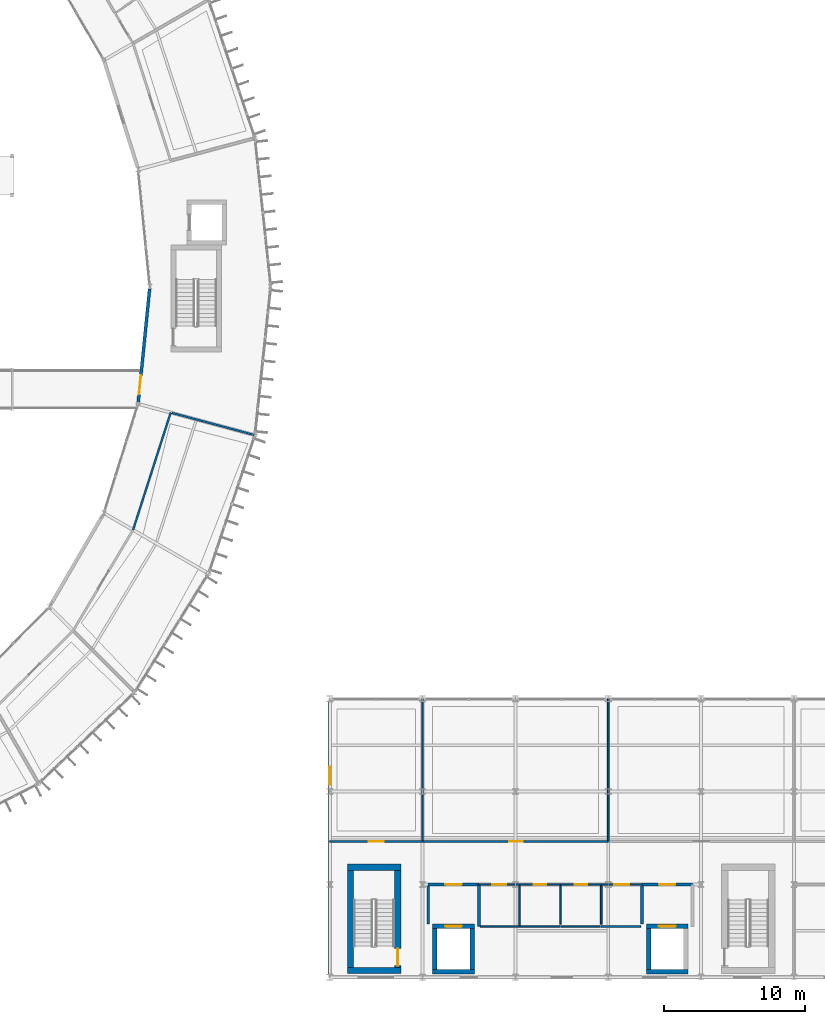
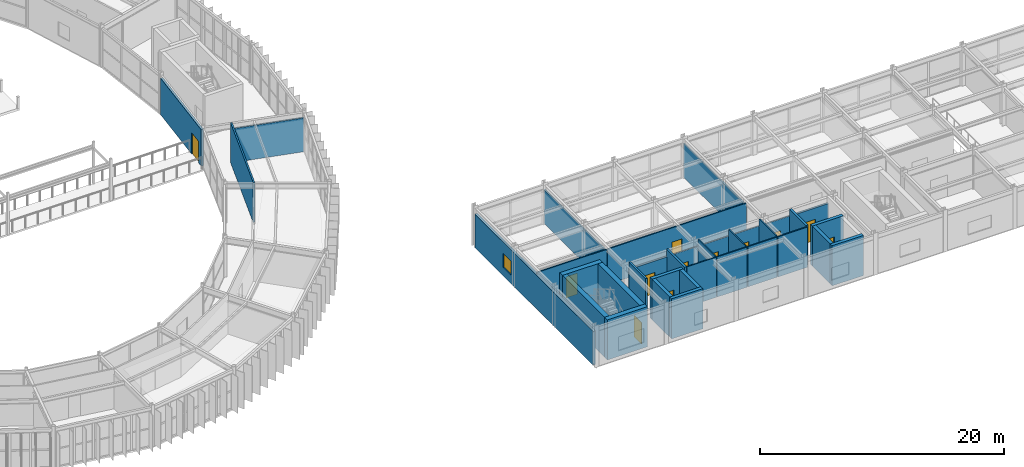
# One storey, part 125 of 147: 35 walls, 12 doors, 1 window, 13 openings.
"""IFC4 building model written with IfcOpenShell, lengths in metres."""

from ifc_helpers import new_model, si_unit, direction, frame, frame_2d, origin, place, context, subcontext, project, spatial, rectangle, extrude, material, layer, layer_set, type_object, element, fill, save


model = new_model("IFC4")

# Units and contexts
model_context = context("Model", 3, precision=1e-05, world=origin(), true_north=direction((0.0, 1.0)))
body_context = subcontext(model_context, "Body", "Model", "MODEL_VIEW")
ifc_project = project(units=[si_unit("LENGTHUNIT", "METRE"), si_unit("AREAUNIT", "SQUARE_METRE"), si_unit("VOLUMEUNIT", "CUBIC_METRE"), si_unit("PLANEANGLEUNIT", "RADIAN"), si_unit("MASSUNIT", "GRAM", prefix="KILO")], contexts=[model_context])

# Site, building, storey
site_placement = place(None, origin())
site = spatial("IfcSite", under=ifc_project, at=site_placement, CompositionType="ELEMENT")
building_placement = place(site_placement, origin())
building = spatial("IfcBuilding", under=site, at=building_placement, Name="Karori Crest Natural Sciences Institute", CompositionType="ELEMENT")
storey_placement = place(building_placement, frame((0.0, 0.0, 9.10009765625)))
storey = spatial("IfcBuildingStorey", under=building, at=storey_placement, Name="L02", CompositionType="ELEMENT", Elevation=9.10009765625)

# Walls
ifc_material_1 = material(Name="Concrete 50 MPa", Category="concrete")
ifc_layer_1 = layer(ifc_material_1, 0.449951171875, Name="Concrete 50 MPa")
ifc_layer_set_1 = layer_set([ifc_layer_1], Name="Concrete 50 MPa")
wall_type_1 = type_object("IfcWallType", Name="IWT-01", PredefinedType="SHEAR", material=ifc_layer_set_1)
for number, where, z_axis, x_axis, name in (
    (1, (104.85009765625, 1.27490234375, 0.0), (0.0, 0.0, 1.0), (1.0, 0.0, 0.0), "Shear wall IW-0081"),
    (2, (104.85009765625, 8.625, 0.0), (0.0, 0.0, 1.0), (1.0, 0.0, 0.0), "Shear wall IW-0082"),
):
    element("IfcWall", number, at=place(storey_placement, frame(where, z_axis=z_axis, x_axis=x_axis)), inside=storey, type_object=wall_type_1, Name=name, PredefinedType="SHEAR", context=body_context, shape_type="SweptSolid", body=[
        extrude(rectangle(XDim=3.7998046875, YDim=0.449951171875, at=frame_2d((1.89990234375, 0.0))), origin(), (0.0, 0.0, 1.0), 4.02001953125),
    ])
wall_1_placement = place(storey_placement, frame((105.074951171875, 1.501953125, 0.0), z_axis=(0.0, 0.0, 1.0), x_axis=(0.0, 1.0, 0.0)))
element("IfcWall", 3, at=wall_1_placement, inside=storey, type_object=wall_type_1, Name="Shear wall IW-0083", PredefinedType="SHEAR", context=body_context, shape_type="SweptSolid", body=[
    extrude(rectangle(XDim=6.89599609375, YDim=0.449951171875, at=frame_2d((3.447998046875, 0.0))), origin(), (0.0, 0.0, 1.0), 4.02001953125),
])

# Wall, opening, door
wall_2_placement = place(storey_placement, frame((108.425048828125, 1.501953125, 0.0), z_axis=(0.0, 0.0, 1.0), x_axis=(0.0, 1.0, 0.0)))
wall_2 = element("IfcWall", 4, at=wall_2_placement, inside=storey, type_object=wall_type_1, Name="Shear wall IW-0084", PredefinedType="SHEAR", context=body_context, shape_type="SweptSolid", body=[
    extrude(rectangle(XDim=6.89599609375, YDim=0.449951171875, at=frame_2d((3.447998046875, 0.0))), origin(), (0.0, 0.0, 1.0), 4.02001953125),
])
opening_1_placement = place(wall_2_placement, frame((0.1201171875, 0.0, 0.0)))
opening_1 = element("IfcOpeningElement", 5, at=opening_1_placement, cuts=wall_2, Name="Opening ID-0021", PredefinedType="OPENING", context=body_context, shape_type="SweptSolid", body=[
    extrude(rectangle(XDim=1.199951171875, YDim=2.14990234375, at=frame_2d((0.60009765625, 1.074951171875))), frame((0.0, 0.23486328125, 0.0), z_axis=(0.0, -1.0, 0.0), x_axis=(1.0, 0.0, 0.0)), (0.0, 0.0, 1.0), 0.469970703125),
])
ifc_material_2 = material(Name="Stainless steel 316 and fire-rated timber", Category="steel")
door_type_1 = type_object("IfcDoorType", Name="IDT-01", OperationType="NOTDEFINED", PredefinedType="DOOR", material=ifc_material_2)
door_1_placement = place(opening_1_placement, origin())
door_1 = element("IfcDoor", 6, at=door_1_placement, inside=storey, type_object=door_type_1, Name="Stair ST-03 fire door ID-0021", OperationType="SINGLE_SWING_LEFT", OverallHeight=2.14990234375, OverallWidth=1.199951171875, PredefinedType="DOOR", context=body_context, shape_type="SweptSolid", body=[
    extrude(rectangle(XDim=1.199951171875, YDim=2.14990234375, at=frame_2d((0.60009765625, 1.074951171875))), frame((0.0, 0.02490234375, 0.0), z_axis=(0.0, -1.0, 0.0), x_axis=(1.0, 0.0, 0.0)), (0.0, 0.0, 1.0), 0.050048828125),
])
fill(opening_1, door_1)

# Wall
ifc_layer_2 = layer(ifc_material_1, 0.320068359375, Name="Concrete 50 MPa")
ifc_layer_set_2 = layer_set([ifc_layer_2], Name="Concrete 50 MPa")
wall_type_2 = type_object("IfcWallType", Name="IWT-03", PredefinedType="SHEAR", material=ifc_layer_set_2)
wall_3_placement = place(storey_placement, frame((110.919921875, 1.179931640625, 0.0), z_axis=(0.0, 0.0, 1.0), x_axis=(1.0, 0.0, 0.0)))
element("IfcWall", 7, at=wall_3_placement, inside=storey, type_object=wall_type_2, Name="Shear wall IW-0317", PredefinedType="SHEAR", context=body_context, shape_type="SweptSolid", body=[
    extrude(rectangle(XDim=2.9599609375, YDim=0.320068359375, at=frame_2d((1.47998046875, 0.0))), origin(), (0.0, 0.0, 1.0), 4.02001953125),
])

# Wall, opening, door
wall_4_placement = place(storey_placement, frame((110.919921875, 4.419921875, 0.0), z_axis=(0.0, 0.0, 1.0), x_axis=(1.0, 0.0, 0.0)))
wall_4 = element("IfcWall", 8, at=wall_4_placement, inside=storey, type_object=wall_type_2, Name="Shear wall IW-0318", PredefinedType="SHEAR", context=body_context, shape_type="SweptSolid", body=[
    extrude(rectangle(XDim=2.9599609375, YDim=0.320068359375, at=frame_2d((1.47998046875, 0.0))), origin(), (0.0, 0.0, 1.0), 4.02001953125),
])
opening_2_placement = place(wall_4_placement, frame((0.8798828125, 0.0, 0.0)))
opening_2 = element("IfcOpeningElement", 9, at=opening_2_placement, cuts=wall_4, Name="Opening LD-0004", PredefinedType="OPENING", context=body_context, shape_type="SweptSolid", body=[
    extrude(rectangle(XDim=1.199951171875, YDim=2.199951171875, at=frame_2d((0.60009765625, 1.10009765625))), frame((0.0, 0.169921875, 0.0), z_axis=(0.0, -1.0, 0.0), x_axis=(1.0, 0.0, 0.0)), (0.0, 0.0, 1.0), 0.340087890625),
])
door_type_2 = type_object("IfcDoorType", Name="LDT-02", OperationType="SLIDING_TO_LEFT", PredefinedType="DOOR", material=ifc_material_2)
door_2_placement = place(opening_2_placement, origin())
door_2 = element("IfcDoor", 10, at=door_2_placement, inside=storey, type_object=door_type_2, Name="Lift LF-01 landing door LD-0004", OperationType="SLIDING_TO_LEFT", OverallHeight=2.199951171875, OverallWidth=1.199951171875, PredefinedType="DOOR", context=body_context, shape_type="SweptSolid", body=[
    extrude(rectangle(XDim=1.199951171875, YDim=2.199951171875, at=frame_2d((0.60009765625, 1.10009765625))), frame((0.0, 0.02490234375, 0.0), z_axis=(0.0, -1.0, 0.0), x_axis=(1.0, 0.0, 0.0)), (0.0, 0.0, 1.0), 0.050048828125),
])
fill(opening_2, door_2)

# Walls
for number, where, z_axis, x_axis, name in (
    (11, (111.080078125, 1.342041015625, 0.0), (0.0, 0.0, 1.0), (0.0, 1.0, 0.0), "Shear wall IW-0319"),
    (12, (113.719970703125, 1.342041015625, 0.0), (0.0, 0.0, 1.0), (0.0, 1.0, 0.0), "Shear wall IW-0320"),
):
    element("IfcWall", number, at=place(storey_placement, frame(where, z_axis=z_axis, x_axis=x_axis)), inside=storey, type_object=wall_type_2, Name=name, PredefinedType="SHEAR", context=body_context, shape_type="SweptSolid", body=[
        extrude(rectangle(XDim=2.916015625, YDim=0.320068359375, at=frame_2d((1.4580078125, 0.0))), origin(), (0.0, 0.0, 1.0), 4.02001953125),
    ])
wall_5_placement = place(storey_placement, frame((126.1201171875, 1.179931640625, 0.0), z_axis=(0.0, 0.0, 1.0), x_axis=(1.0, 0.0, 0.0)))
element("IfcWall", 13, at=wall_5_placement, inside=storey, type_object=wall_type_2, Name="Shear wall IW-0365", PredefinedType="SHEAR", context=body_context, shape_type="SweptSolid", body=[
    extrude(rectangle(XDim=2.9599609375, YDim=0.320068359375, at=frame_2d((1.47998046875, 0.0))), origin(), (0.0, 0.0, 1.0), 4.02001953125),
])

# Wall, opening, door
wall_6_placement = place(storey_placement, frame((126.1201171875, 4.419921875, 0.0), z_axis=(0.0, 0.0, 1.0), x_axis=(1.0, 0.0, 0.0)))
wall_6 = element("IfcWall", 14, at=wall_6_placement, inside=storey, type_object=wall_type_2, Name="Shear wall IW-0366", PredefinedType="SHEAR", context=body_context, shape_type="SweptSolid", body=[
    extrude(rectangle(XDim=2.9599609375, YDim=0.320068359375, at=frame_2d((1.47998046875, 0.0))), origin(), (0.0, 0.0, 1.0), 4.02001953125),
])
opening_3_placement = place(wall_6_placement, frame((0.8798828125, 0.0, 0.0)))
opening_3 = element("IfcOpeningElement", 15, at=opening_3_placement, cuts=wall_6, Name="Opening LD-0016", PredefinedType="OPENING", context=body_context, shape_type="SweptSolid", body=[
    extrude(rectangle(XDim=1.199951171875, YDim=2.199951171875, at=frame_2d((0.60009765625, 1.10009765625))), frame((0.0, 0.169921875, 0.0), z_axis=(0.0, -1.0, 0.0), x_axis=(1.0, 0.0, 0.0)), (0.0, 0.0, 1.0), 0.340087890625),
])
door_3_placement = place(opening_3_placement, origin())
door_3 = element("IfcDoor", 16, at=door_3_placement, inside=storey, type_object=door_type_2, Name="Lift LF-02 landing door LD-0016", OperationType="SLIDING_TO_LEFT", OverallHeight=2.199951171875, OverallWidth=1.199951171875, PredefinedType="DOOR", context=body_context, shape_type="SweptSolid", body=[
    extrude(rectangle(XDim=1.199951171875, YDim=2.199951171875, at=frame_2d((0.60009765625, 1.10009765625))), frame((0.0, 0.02490234375, 0.0), z_axis=(0.0, -1.0, 0.0), x_axis=(1.0, 0.0, 0.0)), (0.0, 0.0, 1.0), 0.050048828125),
])
fill(opening_3, door_3)

# Wall
wall_7_placement = place(storey_placement, frame((126.280029296875, 1.342041015625, 0.0), z_axis=(0.0, 0.0, 1.0), x_axis=(0.0, 1.0, 0.0)))
element("IfcWall", 17, at=wall_7_placement, inside=storey, type_object=wall_type_2, Name="Shear wall IW-0367", PredefinedType="SHEAR", context=body_context, shape_type="SweptSolid", body=[
    extrude(rectangle(XDim=2.916015625, YDim=0.320068359375, at=frame_2d((1.4580078125, 0.0))), origin(), (0.0, 0.0, 1.0), 4.02001953125),
])

# Wall, opening, door
ifc_material_3 = material(Name="Concrete 40 MPa", Category="concrete")
ifc_layer_3 = layer(ifc_material_3, 0.199951171875, Name="Concrete 40 MPa")
ifc_layer_set_3 = layer_set([ifc_layer_3], Name="Concrete 40 MPa")
wall_type_3 = type_object("IfcWallType", Name="IWT-04", PredefinedType="SOLIDWALL", material=ifc_layer_set_3)
wall_8_placement = place(storey_placement, frame((110.60009765625, 7.39990234375, 0.0), z_axis=(0.0, 0.0, 1.0), x_axis=(1.0, 0.0, 0.0)))
wall_8 = element("IfcWall", 18, at=wall_8_placement, inside=storey, type_object=wall_type_3, Name="Partition wall IW-0631", PredefinedType="SOLIDWALL", context=body_context, shape_type="SweptSolid", body=[
    extrude(rectangle(XDim=3.599853515625, YDim=0.199951171875, at=frame_2d((1.7998046875, 0.0))), origin(), (0.0, 0.0, 1.0), 3.29296875),
])
opening_4_placement = place(wall_8_placement, frame((1.22509765625, 0.0, 0.0)))
opening_4 = element("IfcOpeningElement", 19, at=opening_4_placement, cuts=wall_8, Name="Opening ID-0111", PredefinedType="OPENING", context=body_context, shape_type="SweptSolid", body=[
    extrude(rectangle(XDim=1.14990234375, YDim=2.14990234375, at=frame_2d((0.574951171875, 1.074951171875))), frame((0.0, 0.10986328125, 0.0), z_axis=(0.0, -1.0, 0.0), x_axis=(1.0, 0.0, 0.0)), (0.0, 0.0, 1.0), 0.219970703125),
])
door_type_3 = type_object("IfcDoorType", Name="IDT-02", OperationType="NOTDEFINED", PredefinedType="DOOR", material=ifc_material_2)
door_4_placement = place(opening_4_placement, origin())
door_4 = element("IfcDoor", 20, at=door_4_placement, inside=storey, type_object=door_type_3, Name="Firefighting Lift Lobby West door ID-0111", OperationType="SINGLE_SWING_RIGHT", OverallHeight=2.14990234375, OverallWidth=1.14990234375, PredefinedType="DOOR", context=body_context, shape_type="SweptSolid", body=[
    extrude(rectangle(XDim=1.14990234375, YDim=2.14990234375, at=frame_2d((0.574951171875, 1.074951171875))), frame((0.0, 0.02490234375, 0.0), z_axis=(0.0, -1.0, 0.0), x_axis=(1.0, 0.0, 0.0)), (0.0, 0.0, 1.0), 0.050048828125),
])
fill(opening_4, door_4)

# Walls
wall_9_placement = place(storey_placement, frame((110.60009765625, 4.58203125, 0.0), z_axis=(0.0, 0.0, 1.0), x_axis=(0.0, 1.0, 0.0)))
element("IfcWall", 21, at=wall_9_placement, inside=storey, type_object=wall_type_3, Name="Partition wall IW-0632", PredefinedType="SOLIDWALL", context=body_context, shape_type="SweptSolid", body=[
    extrude(rectangle(XDim=2.716064453125, YDim=0.199951171875, at=frame_2d((1.35791015625, 0.0))), origin(), (0.0, 0.0, 1.0), 4.02001953125),
])
wall_10_placement = place(storey_placement, frame((114.199951171875, 4.39990234375, 0.0), z_axis=(0.0, 0.0, 1.0), x_axis=(0.0, 1.0, 0.0)))
element("IfcWall", 22, at=wall_10_placement, inside=storey, type_object=wall_type_3, Name="Partition wall IW-0633", PredefinedType="SOLIDWALL", context=body_context, shape_type="SweptSolid", body=[
    extrude(rectangle(XDim=3.0, YDim=0.199951171875, at=frame_2d((1.5, 0.0))), origin(), (0.0, 0.0, 1.0), 4.02001953125),
])

# Wall, opening, door
wall_11_placement = place(storey_placement, frame((125.800048828125, 7.39990234375, 0.0), z_axis=(0.0, 0.0, 1.0), x_axis=(1.0, 0.0, 0.0)))
wall_11 = element("IfcWall", 23, at=wall_11_placement, inside=storey, type_object=wall_type_3, Name="Partition wall IW-0634", PredefinedType="SOLIDWALL", context=body_context, shape_type="SweptSolid", body=[
    extrude(rectangle(XDim=3.599853515625, YDim=0.199951171875, at=frame_2d((1.7998046875, 0.0))), origin(), (0.0, 0.0, 1.0), 3.29296875),
])
opening_5_placement = place(wall_11_placement, frame((1.22509765625, 0.0, 0.0)))
opening_5 = element("IfcOpeningElement", 24, at=opening_5_placement, cuts=wall_11, Name="Opening ID-0112", PredefinedType="OPENING", context=body_context, shape_type="SweptSolid", body=[
    extrude(rectangle(XDim=1.14990234375, YDim=2.14990234375, at=frame_2d((0.574951171875, 1.074951171875))), frame((0.0, 0.10986328125, 0.0), z_axis=(0.0, -1.0, 0.0), x_axis=(1.0, 0.0, 0.0)), (0.0, 0.0, 1.0), 0.219970703125),
])
door_5_placement = place(opening_5_placement, origin())
door_5 = element("IfcDoor", 25, at=door_5_placement, inside=storey, type_object=door_type_3, Name="Firefighting Lift Lobby East door ID-0112", OperationType="SINGLE_SWING_LEFT", OverallHeight=2.14990234375, OverallWidth=1.14990234375, PredefinedType="DOOR", context=body_context, shape_type="SweptSolid", body=[
    extrude(rectangle(XDim=1.14990234375, YDim=2.14990234375, at=frame_2d((0.574951171875, 1.074951171875))), frame((0.0, 0.02490234375, 0.0), z_axis=(0.0, -1.0, 0.0), x_axis=(1.0, 0.0, 0.0)), (0.0, 0.0, 1.0), 0.050048828125),
])
fill(opening_5, door_5)

# Walls
wall_12_placement = place(storey_placement, frame((125.800048828125, 4.58203125, 0.0), z_axis=(0.0, 0.0, 1.0), x_axis=(0.0, 1.0, 0.0)))
element("IfcWall", 26, at=wall_12_placement, inside=storey, type_object=wall_type_3, Name="Partition wall IW-0635", PredefinedType="SOLIDWALL", context=body_context, shape_type="SweptSolid", body=[
    extrude(rectangle(XDim=2.716064453125, YDim=0.199951171875, at=frame_2d((1.35791015625, 0.0))), origin(), (0.0, 0.0, 1.0), 4.02001953125),
])
ifc_material_4 = material(Name="Laboratory acoustic drywall partition")
ifc_layer_4 = layer(ifc_material_4, 0.139892578125, Name="Laboratory acoustic drywall partition")
ifc_layer_set_4 = layer_set([ifc_layer_4], Name="Laboratory acoustic drywall partition")
wall_type_4 = type_object("IfcWallType", Name="IWT-07", PredefinedType="PARTITIONING", material=ifc_layer_set_4)
wall_13_placement = place(storey_placement, frame((89.610107421875, 32.601806640625, 0.0), z_axis=(0.0, 0.0, 1.0), x_axis=(0.305499533667, 0.952192225829, 0.0)))
element("IfcWall", 27, at=wall_13_placement, inside=storey, type_object=wall_type_4, Name="Partition wall IW-1286", PredefinedType="PARTITIONING", context=body_context, shape_type="SweptSolid", body=[
    extrude(rectangle(XDim=8.761962890625, YDim=0.139892578125, at=frame_2d((4.380859375, 0.0))), origin(), (0.0, 0.0, 1.0), 4.0),
])
wall_14_placement = place(storey_placement, frame((92.364013671875, 40.92431640625, 0.0), z_axis=(0.0, 0.0, 1.0), x_axis=(0.96591927772, -0.258843483457, 0.0)))
element("IfcWall", 28, at=wall_14_placement, inside=storey, type_object=wall_type_4, Name="Partition wall IW-1287", PredefinedType="PARTITIONING", context=body_context, shape_type="SweptSolid", body=[
    extrude(rectangle(XDim=6.06005859375, YDim=0.139892578125, at=frame_2d((3.030029296875, 0.0))), origin(), (0.0, 0.0, 1.0), 3.391845703125),
])
ifc_material_5 = material(Name="Write-up office acoustic partition")
ifc_layer_5 = layer(ifc_material_5, 0.1201171875, Name="Write-up office acoustic partition")
ifc_layer_set_5 = layer_set([ifc_layer_5], Name="Write-up office acoustic partition")
wall_type_5 = type_object("IfcWallType", Name="IWT-08", PredefinedType="PARTITIONING", material=ifc_layer_set_5)
wall_15_placement = place(storey_placement, frame((122.89990234375, 4.39990234375, 0.0), z_axis=(0.0, 0.0, 1.0), x_axis=(1.0, 0.0, 0.0)))
element("IfcWall", 29, at=wall_15_placement, inside=storey, type_object=wall_type_5, Name="Partition wall IW-0637", PredefinedType="PARTITIONING", context=body_context, shape_type="SweptSolid", body=[
    extrude(rectangle(XDim=2.798095703125, YDim=0.1201171875, at=frame_2d((1.39892578125, 0.0))), origin(), (0.0, 0.0, 1.0), 4.02001953125),
])

# Wall, opening, door
wall_16_placement = place(storey_placement, frame((122.89990234375, 7.39990234375, 0.0), z_axis=(0.0, 0.0, 1.0), x_axis=(1.0, 0.0, 0.0)))
wall_16 = element("IfcWall", 30, at=wall_16_placement, inside=storey, type_object=wall_type_5, Name="Partition wall IW-0638", PredefinedType="PARTITIONING", context=body_context, shape_type="SweptSolid", body=[
    extrude(rectangle(XDim=2.898193359375, YDim=0.1201171875, at=frame_2d((1.44921875, 0.0))), origin(), (0.0, 0.0, 1.0), 3.29296875),
])
opening_6_placement = place(wall_16_placement, frame((0.908935546875, 0.0, 0.0)))
opening_6 = element("IfcOpeningElement", 31, at=opening_6_placement, cuts=wall_16, Name="Opening ID-0113", PredefinedType="OPENING", context=body_context, shape_type="SweptSolid", body=[
    extrude(rectangle(XDim=1.080078125, YDim=2.1201171875, at=frame_2d((0.5400390625, 1.06005859375))), frame((0.0, 0.070068359375, 0.0), z_axis=(0.0, -1.0, 0.0), x_axis=(1.0, 0.0, 0.0)), (0.0, 0.0, 1.0), 0.14013671875),
])
ifc_material_6 = material(Name="Anodised aluminium and acoustic timber", Category="wood")
door_type_4 = type_object("IfcDoorType", Name="IDT-12", OperationType="NOTDEFINED", PredefinedType="DOOR", material=ifc_material_6)
door_6_placement = place(opening_6_placement, origin())
door_6 = element("IfcDoor", 32, at=door_6_placement, inside=storey, type_object=door_type_4, Name="Communications Server Room door ID-0113", OperationType="SINGLE_SWING_RIGHT", OverallHeight=2.1201171875, OverallWidth=1.080078125, PredefinedType="DOOR", context=body_context, shape_type="SweptSolid", body=[
    extrude(rectangle(XDim=1.080078125, YDim=2.1201171875, at=frame_2d((0.5400390625, 1.06005859375))), frame((0.0, 0.02490234375, 0.0), z_axis=(0.0, -1.0, 0.0), x_axis=(1.0, 0.0, 0.0)), (0.0, 0.0, 1.0), 0.050048828125),
])
fill(opening_6, door_6)

# Wall
wall_17_placement = place(storey_placement, frame((122.89990234375, 4.58203125, 0.0), z_axis=(0.0, 0.0, 1.0), x_axis=(0.0, 1.0, 0.0)))
element("IfcWall", 33, at=wall_17_placement, inside=storey, type_object=wall_type_5, Name="Partition wall IW-0639", PredefinedType="PARTITIONING", context=body_context, shape_type="SweptSolid", body=[
    extrude(rectangle(XDim=2.716064453125, YDim=0.1201171875, at=frame_2d((1.35791015625, 0.0))), origin(), (0.0, 0.0, 1.0), 4.02001953125),
])

# Wall, opening, door
wall_18_placement = place(storey_placement, frame((103.60009765625, 10.449951171875, 0.0), z_axis=(0.0, 0.0, 1.0), x_axis=(1.0, 0.0, 0.0)))
wall_18 = element("IfcWall", 34, at=wall_18_placement, inside=storey, type_object=wall_type_5, Name="Partition wall IW-0652", PredefinedType="PARTITIONING", context=body_context, shape_type="SweptSolid", body=[
    extrude(rectangle(XDim=6.599853515625, YDim=0.1201171875, at=frame_2d((3.2998046875, 0.0))), origin(), (0.0, 0.0, 1.0), 3.5458984375),
])
opening_7_placement = place(wall_18_placement, frame((2.760009765625, 0.0, 0.0)))
opening_7 = element("IfcOpeningElement", 35, at=opening_7_placement, cuts=wall_18, Name="Opening ID-0119", PredefinedType="OPENING", context=body_context, shape_type="SweptSolid", body=[
    extrude(rectangle(XDim=1.080078125, YDim=2.1201171875, at=frame_2d((0.5400390625, 1.06005859375))), frame((0.0, 0.070068359375, 0.0), z_axis=(0.0, -1.0, 0.0), x_axis=(1.0, 0.0, 0.0)), (0.0, 0.0, 1.0), 0.14013671875),
])
door_7_placement = place(opening_7_placement, origin())
door_7 = element("IfcDoor", 36, at=door_7_placement, inside=storey, type_object=door_type_4, Name="Collaborative Write-Up Suite door ID-0119", OperationType="SINGLE_SWING_RIGHT", OverallHeight=2.1201171875, OverallWidth=1.080078125, PredefinedType="DOOR", context=body_context, shape_type="SweptSolid", body=[
    extrude(rectangle(XDim=1.080078125, YDim=2.1201171875, at=frame_2d((0.5400390625, 1.06005859375))), frame((0.0, 0.02490234375, 0.0), z_axis=(0.0, -1.0, 0.0), x_axis=(1.0, 0.0, 0.0)), (0.0, 0.0, 1.0), 0.050048828125),
])
fill(opening_7, door_7)

# Wall
wall_19_placement = place(storey_placement, frame((110.199951171875, 10.449951171875, 0.0), z_axis=(0.0, 0.0, 1.0), x_axis=(0.0, 1.0, 0.0)))
element("IfcWall", 37, at=wall_19_placement, inside=storey, type_object=wall_type_5, Name="Partition wall IW-0653", PredefinedType="PARTITIONING", context=body_context, shape_type="SweptSolid", body=[
    extrude(rectangle(XDim=10.150146484375, YDim=0.1201171875, at=frame_2d((5.0751953125, 0.0))), origin(), (0.0, 0.0, 1.0), 3.371826171875),
])

# Wall, opening, door
wall_20_placement = place(storey_placement, frame((110.261962890625, 10.449951171875, 0.0), z_axis=(0.0, 0.0, 1.0), x_axis=(1.0, 0.0, 0.0)))
wall_20 = element("IfcWall", 38, at=wall_20_placement, inside=storey, type_object=wall_type_5, Name="Partition wall IW-0654", PredefinedType="PARTITIONING", context=body_context, shape_type="SweptSolid", body=[
    extrude(rectangle(XDim=13.137939453125, YDim=0.1201171875, at=frame_2d((6.56884765625, 0.0))), origin(), (0.0, 0.0, 1.0), 3.5458984375),
])
opening_8_placement = place(wall_20_placement, frame((6.093994140625, 0.0, 0.0)))
opening_8 = element("IfcOpeningElement", 39, at=opening_8_placement, cuts=wall_20, Name="Opening ID-0120", PredefinedType="OPENING", context=body_context, shape_type="SweptSolid", body=[
    extrude(rectangle(XDim=0.949951171875, YDim=2.10009765625, at=frame_2d((0.47509765625, 1.050048828125))), frame((0.0, 0.070068359375, 0.0), z_axis=(0.0, -1.0, 0.0), x_axis=(1.0, 0.0, 0.0)), (0.0, 0.0, 1.0), 0.14013671875),
])
door_type_5 = type_object("IfcDoorType", Name="IDT-08", OperationType="NOTDEFINED", PredefinedType="DOOR", material=ifc_material_6)
door_8_placement = place(opening_8_placement, origin())
door_8 = element("IfcDoor", 40, at=door_8_placement, inside=storey, type_object=door_type_5, Name="Climate Data Studio door ID-0120", OperationType="SINGLE_SWING_LEFT", OverallHeight=2.10009765625, OverallWidth=0.949951171875, PredefinedType="DOOR", context=body_context, shape_type="SweptSolid", body=[
    extrude(rectangle(XDim=0.949951171875, YDim=2.10009765625, at=frame_2d((0.47509765625, 1.050048828125))), frame((0.0, 0.02490234375, 0.0), z_axis=(0.0, -1.0, 0.0), x_axis=(1.0, 0.0, 0.0)), (0.0, 0.0, 1.0), 0.050048828125),
])
fill(opening_8, door_8)

# Walls
wall_21_placement = place(storey_placement, frame((123.39990234375, 10.449951171875, 0.0), z_axis=(0.0, 0.0, 1.0), x_axis=(0.0, 1.0, 0.0)))
element("IfcWall", 41, at=wall_21_placement, inside=storey, type_object=wall_type_5, Name="Partition wall IW-0655", PredefinedType="PARTITIONING", context=body_context, shape_type="SweptSolid", body=[
    extrude(rectangle(XDim=10.150146484375, YDim=0.1201171875, at=frame_2d((5.0751953125, 0.0))), origin(), (0.0, 0.0, 1.0), 3.371826171875),
])
ifc_material_7 = material(Name="Washroom moisture-resistant partition")
ifc_layer_6 = layer(ifc_material_7, 0.10009765625, Name="Washroom moisture-resistant partition")
ifc_layer_set_6 = layer_set([ifc_layer_6], Name="Washroom moisture-resistant partition")
wall_type_6 = type_object("IfcWallType", Name="IWT-09", PredefinedType="PARTITIONING", material=ifc_layer_set_6)
wall_22_placement = place(storey_placement, frame((114.302001953125, 4.39990234375, 0.0), z_axis=(0.0, 0.0, 1.0), x_axis=(1.0, 0.0, 0.0)))
element("IfcWall", 42, at=wall_22_placement, inside=storey, type_object=wall_type_6, Name="Partition wall IW-0640", PredefinedType="PARTITIONING", context=body_context, shape_type="SweptSolid", body=[
    extrude(rectangle(XDim=2.798095703125, YDim=0.10009765625, at=frame_2d((1.39892578125, 0.0))), origin(), (0.0, 0.0, 1.0), 4.02001953125),
])

# Wall, opening, door
wall_23_placement = place(storey_placement, frame((114.201904296875, 7.39990234375, 0.0), z_axis=(0.0, 0.0, 1.0), x_axis=(1.0, 0.0, 0.0)))
wall_23 = element("IfcWall", 43, at=wall_23_placement, inside=storey, type_object=wall_type_6, Name="Partition wall IW-0641", PredefinedType="PARTITIONING", context=body_context, shape_type="SweptSolid", body=[
    extrude(rectangle(XDim=2.898193359375, YDim=0.10009765625, at=frame_2d((1.44921875, 0.0))), origin(), (0.0, 0.0, 1.0), 3.29296875),
])
opening_9_placement = place(wall_23_placement, frame((0.948974609375, 0.0, 0.0)))
opening_9 = element("IfcOpeningElement", 44, at=opening_9_placement, cuts=wall_23, Name="Opening ID-0114", PredefinedType="OPENING", context=body_context, shape_type="SweptSolid", body=[
    extrude(rectangle(XDim=1.0, YDim=2.10009765625, at=frame_2d((0.5, 1.050048828125))), frame((0.0, 0.06005859375, 0.0), z_axis=(0.0, -1.0, 0.0), x_axis=(1.0, 0.0, 0.0)), (0.0, 0.0, 1.0), 0.1201171875),
])
door_type_6 = type_object("IfcDoorType", Name="IDT-09", OperationType="NOTDEFINED", PredefinedType="DOOR", material=ifc_material_6)
door_9_placement = place(opening_9_placement, origin())
door_9 = element("IfcDoor", 45, at=door_9_placement, inside=storey, type_object=door_type_6, Name="Accessible WC door ID-0114", OperationType="SINGLE_SWING_LEFT", OverallHeight=2.10009765625, OverallWidth=1.0, PredefinedType="DOOR", context=body_context, shape_type="SweptSolid", body=[
    extrude(rectangle(XDim=1.0, YDim=2.10009765625, at=frame_2d((0.5, 1.050048828125))), frame((0.0, 0.02490234375, 0.0), z_axis=(0.0, -1.0, 0.0), x_axis=(1.0, 0.0, 0.0)), (0.0, 0.0, 1.0), 0.050048828125),
])
fill(opening_9, door_9)

# Walls
wall_24_placement = place(storey_placement, frame((117.10009765625, 4.4619140625, 0.0), z_axis=(0.0, 0.0, 1.0), x_axis=(0.0, 1.0, 0.0)))
element("IfcWall", 46, at=wall_24_placement, inside=storey, type_object=wall_type_6, Name="Partition wall IW-0642", PredefinedType="PARTITIONING", context=body_context, shape_type="SweptSolid", body=[
    extrude(rectangle(XDim=2.836181640625, YDim=0.10009765625, at=frame_2d((1.41796875, 0.0))), origin(), (0.0, 0.0, 1.0), 4.02001953125),
])
wall_25_placement = place(storey_placement, frame((117.152099609375, 4.39990234375, 0.0), z_axis=(0.0, 0.0, 1.0), x_axis=(1.0, 0.0, 0.0)))
element("IfcWall", 47, at=wall_25_placement, inside=storey, type_object=wall_type_6, Name="Partition wall IW-0643", PredefinedType="PARTITIONING", context=body_context, shape_type="SweptSolid", body=[
    extrude(rectangle(XDim=2.847900390625, YDim=0.10009765625, at=frame_2d((1.423828125, 0.0))), origin(), (0.0, 0.0, 1.0), 4.02001953125),
])

# Wall, opening, door
wall_26_placement = place(storey_placement, frame((117.10205078125, 7.39990234375, 0.0), z_axis=(0.0, 0.0, 1.0), x_axis=(1.0, 0.0, 0.0)))
wall_26 = element("IfcWall", 48, at=wall_26_placement, inside=storey, type_object=wall_type_6, Name="Partition wall IW-0644", PredefinedType="PARTITIONING", context=body_context, shape_type="SweptSolid", body=[
    extrude(rectangle(XDim=2.89794921875, YDim=0.10009765625, at=frame_2d((1.448974609375, 0.0))), origin(), (0.0, 0.0, 1.0), 3.29296875),
])
opening_10_placement = place(wall_26_placement, frame((1.009033203125, 0.0, 0.0)))
opening_10 = element("IfcOpeningElement", 49, at=opening_10_placement, cuts=wall_26, Name="Opening ID-0115", PredefinedType="OPENING", context=body_context, shape_type="SweptSolid", body=[
    extrude(rectangle(XDim=0.8798828125, YDim=2.080078125, at=frame_2d((0.43994140625, 1.0400390625))), frame((0.0, 0.06005859375, 0.0), z_axis=(0.0, -1.0, 0.0), x_axis=(1.0, 0.0, 0.0)), (0.0, 0.0, 1.0), 0.1201171875),
])
door_type_7 = type_object("IfcDoorType", Name="IDT-10", OperationType="NOTDEFINED", PredefinedType="DOOR", material=ifc_material_6)
door_10_placement = place(opening_10_placement, origin())
door_10 = element("IfcDoor", 50, at=door_10_placement, inside=storey, type_object=door_type_7, Name="Female Washroom WC door ID-0115", OperationType="SINGLE_SWING_RIGHT", OverallHeight=2.080078125, OverallWidth=0.8798828125, PredefinedType="DOOR", context=body_context, shape_type="SweptSolid", body=[
    extrude(rectangle(XDim=0.8798828125, YDim=2.080078125, at=frame_2d((0.43994140625, 1.0400390625))), frame((0.0, 0.02490234375, 0.0), z_axis=(0.0, -1.0, 0.0), x_axis=(1.0, 0.0, 0.0)), (0.0, 0.0, 1.0), 0.050048828125),
])
fill(opening_10, door_10)

# Walls
wall_27_placement = place(storey_placement, frame((120.0, 4.58203125, 0.0), z_axis=(0.0, 0.0, 1.0), x_axis=(0.0, 1.0, 0.0)))
element("IfcWall", 51, at=wall_27_placement, inside=storey, type_object=wall_type_6, Name="Partition wall IW-0645", PredefinedType="PARTITIONING", context=body_context, shape_type="SweptSolid", body=[
    extrude(rectangle(XDim=2.716064453125, YDim=0.10009765625, at=frame_2d((1.35791015625, 0.0))), origin(), (0.0, 0.0, 1.0), 4.02001953125),
])
wall_28_placement = place(storey_placement, frame((120.052001953125, 4.39990234375, 0.0), z_axis=(0.0, 0.0, 1.0), x_axis=(1.0, 0.0, 0.0)))
element("IfcWall", 52, at=wall_28_placement, inside=storey, type_object=wall_type_6, Name="Partition wall IW-0646", PredefinedType="PARTITIONING", context=body_context, shape_type="SweptSolid", body=[
    extrude(rectangle(XDim=2.785888671875, YDim=0.10009765625, at=frame_2d((1.39306640625, 0.0))), origin(), (0.0, 0.0, 1.0), 4.02001953125),
])

# Wall, opening, door
wall_29_placement = place(storey_placement, frame((120.001953125, 7.39990234375, 0.0), z_axis=(0.0, 0.0, 1.0), x_axis=(1.0, 0.0, 0.0)))
wall_29 = element("IfcWall", 53, at=wall_29_placement, inside=storey, type_object=wall_type_6, Name="Partition wall IW-0647", PredefinedType="PARTITIONING", context=body_context, shape_type="SweptSolid", body=[
    extrude(rectangle(XDim=2.89599609375, YDim=0.10009765625, at=frame_2d((1.447998046875, 0.0))), origin(), (0.0, 0.0, 1.0), 3.29296875),
])
opening_11_placement = place(wall_29_placement, frame((1.008056640625, 0.0, 0.0)))
opening_11 = element("IfcOpeningElement", 54, at=opening_11_placement, cuts=wall_29, Name="Opening ID-0116", PredefinedType="OPENING", context=body_context, shape_type="SweptSolid", body=[
    extrude(rectangle(XDim=0.8798828125, YDim=2.080078125, at=frame_2d((0.43994140625, 1.0400390625))), frame((0.0, 0.06005859375, 0.0), z_axis=(0.0, -1.0, 0.0), x_axis=(1.0, 0.0, 0.0)), (0.0, 0.0, 1.0), 0.1201171875),
])
door_11_placement = place(opening_11_placement, origin())
door_11 = element("IfcDoor", 55, at=door_11_placement, inside=storey, type_object=door_type_7, Name="Male Washroom WC door ID-0116", OperationType="SINGLE_SWING_LEFT", OverallHeight=2.080078125, OverallWidth=0.8798828125, PredefinedType="DOOR", context=body_context, shape_type="SweptSolid", body=[
    extrude(rectangle(XDim=0.8798828125, YDim=2.080078125, at=frame_2d((0.43994140625, 1.0400390625))), frame((0.0, 0.02490234375, 0.0), z_axis=(0.0, -1.0, 0.0), x_axis=(1.0, 0.0, 0.0)), (0.0, 0.0, 1.0), 0.050048828125),
])
fill(opening_11, door_11)

# Wall, opening, window
ifc_material_8 = material(Name="Precast concrete 40 MPa", Category="concrete")
ifc_layer_7 = layer(ifc_material_8, 0.239990234375, Name="Precast concrete 40 MPa")
ifc_layer_set_7 = layer_set([ifc_layer_7], Name="Precast concrete 40 MPa")
wall_type_7 = type_object("IfcWallType", Name="WT-04", PredefinedType="SOLIDWALL", material=ifc_layer_set_7)
wall_30_placement = place(storey_placement, frame((103.60009765625, 0.998046875, 0.0), z_axis=(0.0, 0.0, 1.0), x_axis=(0.0, 1.0, 0.0)))
wall_30 = element("IfcWall", 56, at=wall_30_placement, inside=storey, type_object=wall_type_7, Name="Exterior wall EW-0200", PredefinedType="SOLIDWALL", context=body_context, shape_type="SweptSolid", body=[
    extrude(rectangle(XDim=19.404052734375, YDim=0.239990234375, at=frame_2d((9.7021484375, 0.0))), origin(), (0.0, 0.0, 1.0), 3.371826171875),
])
opening_12_placement = place(wall_30_placement, frame((13.5, 0.0, 0.85009765625)))
opening_12 = element("IfcOpeningElement", 57, at=opening_12_placement, cuts=wall_30, Name="Opening WN-0144", PredefinedType="OPENING", context=body_context, shape_type="SweptSolid", body=[
    extrude(rectangle(XDim=1.25, YDim=1.39990234375, at=frame_2d((0.625, 0.699951171875))), frame((0.0, 0.1298828125, 0.0), z_axis=(0.0, -1.0, 0.0), x_axis=(1.0, 0.0, 0.0)), (0.0, 0.0, 1.0), 0.260009765625),
])
ifc_material_9 = material(Name="Double low-E laminated glass", Category="glass")
window_type = type_object("IfcWindowType", Name="WNT-02", PartitioningType="SINGLE_PANEL", PredefinedType="WINDOW", material=ifc_material_9)
window_placement = place(opening_12_placement, origin())
window = element("IfcWindow", 58, at=window_placement, inside=storey, type_object=window_type, Name="Window WN-0144", OverallHeight=1.39990234375, OverallWidth=1.25, PartitioningType="SINGLE_PANEL", PredefinedType="WINDOW", context=body_context, shape_type="SweptSolid", body=[
    extrude(rectangle(XDim=1.25, YDim=1.39990234375, at=frame_2d((0.625, 0.699951171875))), frame((0.0, 0.030029296875, 0.0), z_axis=(0.0, -1.0, 0.0), x_axis=(1.0, 0.0, 0.0)), (0.0, 0.0, 1.0), 0.06005859375),
])
fill(opening_12, window)

# Wall, opening, door
ifc_layer_8 = layer(ifc_material_8, 0.219970703125, Name="Precast concrete 40 MPa")
ifc_layer_set_8 = layer_set([ifc_layer_8], Name="Precast concrete 40 MPa")
wall_type_8 = type_object("IfcWallType", Name="WT-05", PredefinedType="SOLIDWALL", material=ifc_layer_set_8)
wall_31_placement = place(storey_placement, frame((89.98193359375, 41.69970703125, 0.0), z_axis=(0.0, 0.0, 1.0), x_axis=(0.09926153237, 0.995061379108, 0.0)))
wall_31 = element("IfcWall", 59, at=wall_31_placement, inside=storey, type_object=wall_type_8, Name="Exterior wall EW-0063", PredefinedType="SOLIDWALL", context=body_context, shape_type="SweptSolid", body=[
    extrude(rectangle(XDim=8.084716796875, YDim=0.219970703125, at=frame_2d((4.04248046875, 0.0))), origin(), (0.0, 0.0, 1.0), 3.64990234375),
])
opening_13_placement = place(wall_31_placement, frame((0.5400390625, 0.0, 0.0)))
opening_13 = element("IfcOpeningElement", 60, at=opening_13_placement, cuts=wall_31, Name="Opening ED-0012", PredefinedType="OPENING", context=body_context, shape_type="SweptSolid", body=[
    extrude(rectangle(XDim=1.35009765625, YDim=2.14990234375, at=frame_2d((0.675048828125, 1.074951171875))), frame((0.0, 0.1201171875, 0.0), z_axis=(0.0, -1.0, 0.0), x_axis=(1.0, 0.0, 0.0)), (0.0, 0.0, 1.0), 0.239990234375),
])
ifc_material_10 = material(Name="Anodised architectural aluminium 6063-T6", Category="aluminium")
door_type_8 = type_object("IfcDoorType", Name="EDT-06", OperationType="NOTDEFINED", PredefinedType="DOOR", material=ifc_material_10)
door_12_placement = place(opening_13_placement, origin())
door_12 = element("IfcDoor", 61, at=door_12_placement, inside=storey, type_object=door_type_8, Name="Courtyard bridge door ED-0012", OperationType="SINGLE_SWING_RIGHT", OverallHeight=2.14990234375, OverallWidth=1.35009765625, PredefinedType="DOOR", context=body_context, shape_type="SweptSolid", body=[
    extrude(rectangle(XDim=1.35009765625, YDim=2.14990234375, at=frame_2d((0.675048828125, 1.074951171875))), frame((0.0, 0.02490234375, 0.0), z_axis=(0.0, -1.0, 0.0), x_axis=(1.0, 0.0, 0.0)), (0.0, 0.0, 1.0), 0.050048828125),
])
fill(opening_13, door_12)

save(model, "model.ifc")
